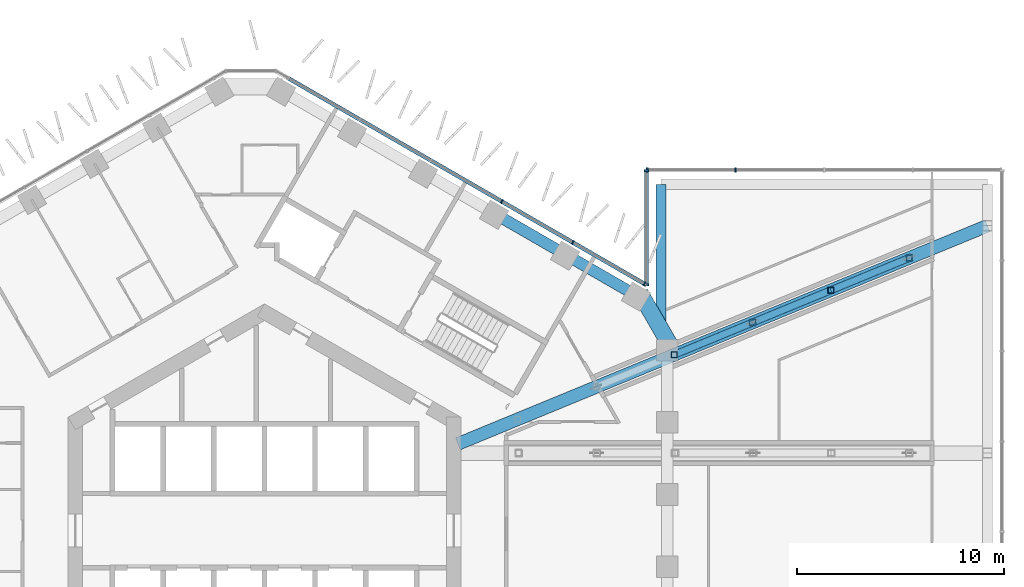
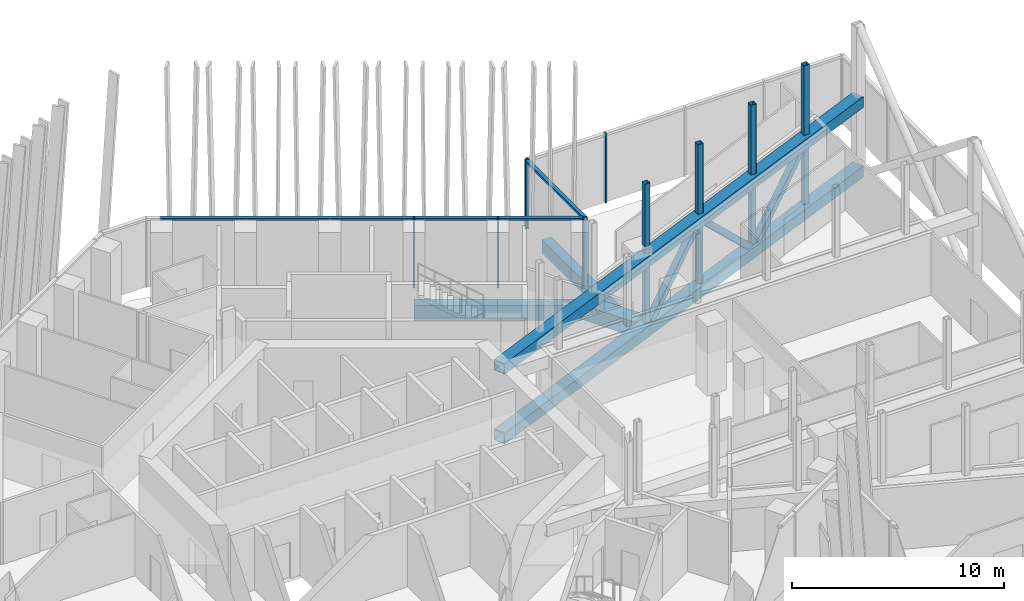
# One storey, part 9 of 28: 22 members, 4 beams, 3 elements without a shape of their own.
"""IFC4 building model written with IfcOpenShell, lengths in metres."""

import ifcopenshell
import ifcopenshell.guid

model = None  # the IFC model being written
_history = None  # IfcOwnerHistory: only IFC2X3 demands one
_inside = {}  # id of a spatial element -> (the spatial element, [elements in it])
_under = {}  # id of a project, library or spatial element -> (it, [spatial elements below it])
_declared = {}  # id of a project -> (the project, [libraries it declares])
_typed = {}  # id of a type object -> (the type object, [elements of that type])
_made_of = {}  # id of a material, layer set ... -> (it, [elements and type objects made of it])


def new_model(schema):
    """Start an empty IFC model of exactly this schema.

    Asked for "IFC4X3", IfcOpenShell would pick the latest addendum, in which some entities
    have other attributes; the version numbers below select the first issue.
    IFC2X3 requires an IfcOwnerHistory on every rooted entity: one is made here for all.
    """
    global model, _history
    if schema == "IFC4X3":
        model = ifcopenshell.file(schema_version=(4, 3, 0, 0))
    else:
        model = ifcopenshell.file(schema=schema)
    _inside.clear()
    _under.clear()
    _declared.clear()
    _typed.clear()
    _made_of.clear()
    _history = None
    if model.schema == "IFC2X3":
        org = make("IfcOrganization", Name="unknown")
        user = make(
            "IfcPersonAndOrganization",
            ThePerson=make("IfcPerson", FamilyName="unknown"),
            TheOrganization=org,
        )
        app = make(
            "IfcApplication",
            ApplicationDeveloper=org,
            Version="unknown",
            ApplicationFullName="unknown",
            ApplicationIdentifier="unknown",
        )
        _history = make(
            "IfcOwnerHistory",
            OwningUser=user,
            OwningApplication=app,
            ChangeAction="ADDED",
            CreationDate=0,
        )
    return model


def make(cls, **values):
    """One entity of the class cls with the attributes given. An attribute that is None is left unset."""
    return model.create_entity(
        cls, **{name: value for name, value in values.items() if value is not None}
    )


def rooted(cls, **values):
    """An entity with a GlobalId (a new one), such as an element, a storey or a relation."""
    return make(cls, GlobalId=ifcopenshell.guid.new(), OwnerHistory=_history, **values)


def si_unit(unit_type, name, prefix=None):
    """IfcSIUnit, for example si_unit("LENGTHUNIT", "METRE", prefix="MILLI")."""
    return make("IfcSIUnit", UnitType=unit_type, Prefix=prefix, Name=name)


def assignment(units):
    """IfcUnitAssignment: the units of a project."""
    return None if units is None else make("IfcUnitAssignment", Units=units)


def point(xyz):
    """IfcCartesianPoint."""
    return None if xyz is None else make("IfcCartesianPoint", Coordinates=xyz)


def direction(xyz):
    """IfcDirection."""
    return None if xyz is None else make("IfcDirection", DirectionRatios=xyz)


def frame(location, z_axis=None, x_axis=None):
    """IfcAxis2Placement3D, a coordinate frame: its origin and axes. An axis left out is left unset."""
    return make(
        "IfcAxis2Placement3D",
        Location=point(location),
        Axis=direction(z_axis),
        RefDirection=direction(x_axis),
    )


def frame_2d(location, x_axis=None):
    """IfcAxis2Placement2D, a coordinate frame in the plane: its origin and x axis."""
    return make(
        "IfcAxis2Placement2D", Location=point(location), RefDirection=direction(x_axis)
    )


def origin():
    """The frame at (0, 0, 0) with its axes left unset."""
    return frame((0.0, 0.0, 0.0))


def origin_2d():
    """The frame at (0, 0) in the plane with its x axis left unset."""
    return frame_2d((0.0, 0.0))


def place(relative_to, where):
    """IfcLocalPlacement: puts the frame where relative to a parent placement (None: the world)."""
    return make(
        "IfcLocalPlacement", PlacementRelTo=relative_to, RelativePlacement=where
    )


def context(
    kind, dimensions, precision=None, world=None, true_north=None, identifier=None
):
    """IfcGeometricRepresentationContext, for example the 3D "Model" context."""
    return make(
        "IfcGeometricRepresentationContext",
        ContextIdentifier=identifier,
        ContextType=kind,
        CoordinateSpaceDimension=dimensions,
        Precision=precision,
        WorldCoordinateSystem=world,
        TrueNorth=true_north,
    )


def subcontext(parent, identifier, kind, view, scale=None):
    """IfcGeometricRepresentationSubContext, for example "Body" below "Model"."""
    return make(
        "IfcGeometricRepresentationSubContext",
        ContextIdentifier=identifier,
        ContextType=kind,
        ParentContext=parent,
        TargetScale=scale,
        TargetView=view,
    )


def project(units=None, contexts=None):
    """IfcProject with its units and contexts."""
    return rooted(
        "IfcProject",
        Name="project",
        RepresentationContexts=contexts,
        UnitsInContext=assignment(units),
    )


def spatial(cls, under=None, at=None, **own):
    """A site, building, storey or space (cls), placed at a placement, below another one or the project."""
    s = rooted(cls, ObjectPlacement=at, **own)
    if under is not None:
        _under.setdefault(under.id(), (under, []))[1].append(s)
    return s


def profile(cls, at=None, kind="AREA", **sizes):
    """A parametric profile (cls). Its sizes go by their IFC names, for example OverallWidth=200.0."""
    return make(cls, ProfileType=kind, Position=at, **sizes)


def rectangle(**sizes):
    """IfcRectangleProfileDef."""
    return profile("IfcRectangleProfileDef", **sizes)


def hollow_rectangle(**sizes):
    """IfcRectangleHollowProfileDef."""
    return profile("IfcRectangleHollowProfileDef", **sizes)


def extrude(swept, where, along, depth):
    """IfcExtrudedAreaSolid: the profile swept, set in the frame where, extruded along a direction by depth."""
    return make(
        "IfcExtrudedAreaSolid",
        SweptArea=swept,
        Position=where,
        ExtrudedDirection=direction(along),
        Depth=depth,
    )


def shape(context_of_items, identifier, shape_type, items):
    """IfcShapeRepresentation: the items that make up one representation, for example the "Body"."""
    return make(
        "IfcShapeRepresentation",
        ContextOfItems=context_of_items,
        RepresentationIdentifier=identifier,
        RepresentationType=shape_type,
        Items=items,
    )


def material(Name=None, Category=None):
    """IfcMaterial."""
    return make("IfcMaterial", Name=Name, Category=Category)


def layer(
    of_material, thickness, ventilated=None, Name=None, Category=None, Priority=None
):
    """IfcMaterialLayer: one layer of a wall or slab, of a material (None: an air gap)."""
    return make(
        "IfcMaterialLayer",
        Material=of_material,
        LayerThickness=thickness,
        IsVentilated=ventilated,
        Name=Name,
        Category=Category,
        Priority=Priority,
    )


def layer_set(layers, Name=None):
    """IfcMaterialLayerSet."""
    return make("IfcMaterialLayerSet", MaterialLayers=layers, LayerSetName=Name)


def material_profile(
    of_material, cross_section, Name=None, Category=None, Priority=None
):
    """IfcMaterialProfile: a cross section and its material."""
    return make(
        "IfcMaterialProfile",
        Name=Name,
        Material=of_material,
        Profile=cross_section,
        Priority=Priority,
        Category=Category,
    )


def profile_set(profiles, Name=None, composite=None):
    """IfcMaterialProfileSet."""
    return make(
        "IfcMaterialProfileSet",
        Name=Name,
        MaterialProfiles=profiles,
        CompositeProfile=composite,
    )


def made_of(thing, what):
    """Note that an element or type object is made of a material, layer set ...; save() writes the relation."""
    if what is not None:
        _made_of.setdefault(what.id(), (what, []))[1].append(thing)
    return thing


def type_object(cls, material=None, **own):
    """A type object (cls), such as IfcWallType, which elements share."""
    return made_of(rooted(cls, **own), material)


def element(
    cls,
    number,
    at=None,
    inside=None,
    cuts=None,
    type_object=None,
    material=None,
    context=None,
    identifier="Body",
    shape_type=None,
    held_by="IfcProductDefinitionShape",
    body=None,
    shapes=None,
    **own,
):
    """One element of the class cls, such as IfcWall. Its Tag is "e" and its number.

    at: its placement. inside: the storey or other place that contains it. cuts: it is an
    opening in that element (IfcRelVoidsElement). A single representation is given by context,
    identifier, shape_type and body (its items); several are given by shapes. held_by: the class
    of the entity that holds the representations. save() writes the other relations.
    """
    e = rooted(cls, Tag="e%d" % number, ObjectPlacement=at, **own)
    if body is not None:
        shapes = [shape(context, identifier, shape_type, body)]
    if shapes is not None:
        e.Representation = make(held_by, Representations=shapes)
    if inside is not None:
        _inside.setdefault(inside.id(), (inside, []))[1].append(e)
    if cuts is not None:
        rooted(
            "IfcRelVoidsElement", RelatingBuildingElement=cuts, RelatedOpeningElement=e
        )
    if type_object is not None:
        _typed.setdefault(type_object.id(), (type_object, []))[1].append(e)
    return made_of(e, material)


def aggregate(whole, parts):
    """IfcRelAggregates: a whole, such as a stair, and the parts it consists of."""
    return rooted("IfcRelAggregates", RelatingObject=whole, RelatedObjects=parts)


def save(model, path):
    """Write the relations noted so far, then the file.

    IfcRelAggregates (storeys below a building ...), IfcRelContainedInSpatialStructure (elements
    in a storey), IfcRelDefinesByType, IfcRelAssociatesMaterial and IfcRelDeclares: one each for
    every whole, place, type object, material and project.
    """
    for whole, parts in _under.values():
        aggregate(whole, parts)
    for where, things in _inside.values():
        rooted(
            "IfcRelContainedInSpatialStructure",
            RelatedElements=things,
            RelatingStructure=where,
        )
    for kind, things in _typed.values():
        rooted("IfcRelDefinesByType", RelatedObjects=things, RelatingType=kind)
    for what, things in _made_of.values():
        rooted("IfcRelAssociatesMaterial", RelatedObjects=things, RelatingMaterial=what)
    for by, libraries in _declared.values():
        rooted("IfcRelDeclares", RelatingContext=by, RelatedDefinitions=libraries)
    model.write(path)


model = new_model("IFC4")

# Units and contexts
model_context = context("Model", 3, precision=1e-05, world=origin(), true_north=direction((0.0, 1.0)))
body_context = subcontext(model_context, "Body", "Model", "MODEL_VIEW")
ifc_project = project(units=[si_unit("LENGTHUNIT", "METRE"), si_unit("AREAUNIT", "SQUARE_METRE"), si_unit("VOLUMEUNIT", "CUBIC_METRE"), si_unit("PLANEANGLEUNIT", "RADIAN"), si_unit("MASSUNIT", "GRAM", prefix="KILO")], contexts=[model_context])

# Site, building, storey
site_placement = place(None, origin())
site = spatial("IfcSite", under=ifc_project, at=site_placement, CompositionType="ELEMENT")
building_placement = place(site_placement, origin())
building = spatial("IfcBuilding", under=site, at=building_placement, Name="Ayvan Gate Tower", CompositionType="ELEMENT")
storey_placement = place(building_placement, frame((0.0, 0.0, 120.5)))
storey = spatial("IfcBuildingStorey", under=building, at=storey_placement, Name="L32", CompositionType="ELEMENT", Elevation=120.5)

# Beams
ifc_material_1 = material(Name="Concrete C40/50", Category="concrete")
ifc_material_profile_1 = material_profile(ifc_material_1, rectangle(XDim=0.800048828125, YDim=0.85009765625, at=origin_2d()), Name="RC 800x850")
ifc_profile_set_1 = profile_set([ifc_material_profile_1], Name="Concrete C40/50")
beam_type_1 = type_object("IfcBeamType", Name="Corner spandrel beam RC 800x850 C40/50", PredefinedType="BEAM", material=ifc_profile_set_1)
beam_1_placement = place(storey_placement, frame((19.676025390625, 8.890869140625, -0.824951171875), z_axis=(-0.50002537861, 0.866010750942, 0.0), x_axis=(-0.866010750942, -0.50002537861, 0.0)))
element("IfcBeam", 1, at=beam_1_placement, inside=storey, type_object=beam_type_1, Name="SB-L32-6", PredefinedType="BEAM", context=body_context, shape_type="SweptSolid", body=[
    extrude(rectangle(XDim=0.800048828125, YDim=0.85009765625, at=origin_2d()), origin(), (0.0, 0.0, 1.0), 2.999755859375),
])
ifc_material_profile_2 = material_profile(ifc_material_1, rectangle(XDim=0.5, YDim=0.75, at=origin_2d()), Name="RC 500x750")
ifc_profile_set_2 = profile_set([ifc_material_profile_2], Name="Concrete C40/50")
beam_type_2 = type_object("IfcBeamType", Name="Sky bar edge beam RC 500x750 C40/50", PredefinedType="BEAM", material=ifc_profile_set_2)
beam_2_placement = place(storey_placement, frame((19.185546875, 9.9609375, -0.77490234375), z_axis=(0.0, 1.0, 0.0), x_axis=(-1.0, 0.0, 0.0)))
element("IfcBeam", 2, at=beam_2_placement, inside=storey, type_object=beam_type_2, Name="EB-B2-L32-1", PredefinedType="BEAM", context=body_context, shape_type="SweptSolid", body=[
    extrude(rectangle(XDim=0.5, YDim=0.75, at=origin_2d()), origin(), (0.0, 0.0, 1.0), 6.7890625),
])

# Members
ifc_material_2 = material(Name="Steel S460NH", Category="steel")
ifc_material_profile_3 = material_profile(ifc_material_2, hollow_rectangle(XDim=0.35009765625, YDim=0.35009765625, WallThickness=0.012451171875, InnerFilletRadius=0.012451171875, OuterFilletRadius=0.018798828125, at=origin_2d()), Name="RHS 350x350x12.5")
ifc_profile_set_3 = profile_set([ifc_material_profile_3], Name="Steel S460NH")
member_type_1 = type_object("IfcMemberType", Name="Sky bar end truss brace B2 RHS 350x350x12.5", PredefinedType="BRACE", material=ifc_profile_set_3)
member_1_placement = place(storey_placement, frame((19.831787109375, 8.506591796875, -0.75), z_axis=(0.661597067842, 0.272577821403, 0.698563276376), x_axis=(-0.380935608292, 0.924601569507, 0.0)))
element("IfcMember", 3, at=member_1_placement, inside=storey, type_object=member_type_1, Name="SBT2-4-D-4", PredefinedType="BRACE", context=body_context, shape_type="SweptSolid", body=[
    extrude(hollow_rectangle(XDim=0.35009765625, YDim=0.35009765625, WallThickness=0.012451171875, InnerFilletRadius=0.012451171875, OuterFilletRadius=0.018798828125, at=origin_2d()), origin(), (0.0, 0.0, 1.0), 5.72607421875),
])
member_2_placement = place(storey_placement, frame((23.6201171875, 10.0673828125, 3.25), z_axis=(0.661613351799, 0.27260959991, -0.698535452757), x_axis=(-0.3809655583, 0.924589229544, 0.0)))
element("IfcMember", 4, at=member_2_placement, inside=storey, type_object=member_type_1, Name="SBT2-4-D-5", PredefinedType="BRACE", context=body_context, shape_type="SweptSolid", body=[
    extrude(hollow_rectangle(XDim=0.35009765625, YDim=0.35009765625, WallThickness=0.012451171875, InnerFilletRadius=0.012451171875, OuterFilletRadius=0.018798828125, at=origin_2d()), origin(), (0.0, 0.0, 1.0), 5.726318359375),
])
member_3_placement = place(storey_placement, frame((27.40869140625, 11.62841796875, -0.75), z_axis=(0.661597067842, 0.272577821403, 0.698563276376), x_axis=(-0.380935608292, 0.924601569507, 0.0)))
element("IfcMember", 5, at=member_3_placement, inside=storey, type_object=member_type_1, Name="SBT2-4-D-6", PredefinedType="BRACE", context=body_context, shape_type="SweptSolid", body=[
    extrude(hollow_rectangle(XDim=0.35009765625, YDim=0.35009765625, WallThickness=0.012451171875, InnerFilletRadius=0.012451171875, OuterFilletRadius=0.018798828125, at=origin_2d()), origin(), (0.0, 0.0, 1.0), 5.72607421875),
])
ifc_material_3 = material(Name="Steel S460ML", Category="steel")
ifc_material_profile_4 = material_profile(ifc_material_3, hollow_rectangle(XDim=0.6201171875, YDim=0.6201171875, WallThickness=0.034912109375, at=origin_2d()), Name="BOX 620x620x35")
ifc_profile_set_4 = profile_set([ifc_material_profile_4], Name="Steel S460ML")
member_type_2 = type_object("IfcMemberType", Name="Sky bar end truss chord B2 BOX 620x620x35", PredefinedType="CHORD", material=ifc_profile_set_4)
for number, where, z_axis, x_axis, name in (
    (6, (9.361328125, 4.19287109375, -0.75), (0.924602366744, 0.380933673245, 0.0), (-0.380933673245, 0.924602366744, 0.0), "SBT2-4-BC-1"),
    (7, (9.361328125, 4.19287109375, 3.25), (0.924602366744, 0.380933673245, 0.0), (-0.380933673245, 0.924602366744, 0.0), "SBT2-4-TC-1"),
):
    element("IfcMember", number, at=place(storey_placement, frame(where, z_axis=z_axis, x_axis=x_axis)), inside=storey, type_object=member_type_2, Name=name, PredefinedType="CHORD", context=body_context, shape_type="SweptSolid", body=[
        extrude(hollow_rectangle(XDim=0.6201171875, YDim=0.6201171875, WallThickness=0.034912109375, at=origin_2d()), origin(), (0.0, 0.0, 1.0), 27.7138671875),
    ])
ifc_material_profile_5 = material_profile(ifc_material_2, hollow_rectangle(XDim=0.280029296875, YDim=0.280029296875, WallThickness=0.012451171875, InnerFilletRadius=0.012451171875, OuterFilletRadius=0.018798828125, at=origin_2d()), Name="RHS 280x280x12.5")
ifc_profile_set_5 = profile_set([ifc_material_profile_5], Name="Steel S460NH")
member_type_3 = type_object("IfcMemberType", Name="Sky bar end truss post B2 RHS 280x280x12.5", PredefinedType="POST", material=ifc_profile_set_5)
for number, where, z_axis, x_axis, name in (
    (8, (19.831787109375, 8.506591796875, -0.39990234375), (0.0, 0.0, 1.0), (1.0, 0.0, 0.0), "SBT2-4-P-3"),
    (9, (23.6201171875, 10.0673828125, -0.39990234375), (0.0, 0.0, 1.0), (1.0, 0.0, 0.0), "SBT2-4-P-4"),
    (10, (27.40869140625, 11.62841796875, -0.39990234375), (0.0, 0.0, 1.0), (1.0, 0.0, 0.0), "SBT2-4-P-5"),
    (11, (31.197021484375, 13.189208984375, -0.39990234375), (0.0, 0.0, 1.0), (1.0, 0.0, 0.0), "SBT2-4-P-6"),
):
    element("IfcMember", number, at=place(storey_placement, frame(where, z_axis=z_axis, x_axis=x_axis)), inside=storey, type_object=member_type_3, Name=name, PredefinedType="POST", context=body_context, shape_type="SweptSolid", body=[
        extrude(hollow_rectangle(XDim=0.280029296875, YDim=0.280029296875, WallThickness=0.012451171875, InnerFilletRadius=0.012451171875, OuterFilletRadius=0.018798828125, at=origin_2d()), origin(), (0.0, 0.0, 1.0), 3.2998046875),
    ])
ifc_material_profile_6 = material_profile(ifc_material_2, hollow_rectangle(XDim=0.300048828125, YDim=0.300048828125, WallThickness=0.012451171875, InnerFilletRadius=0.012451171875, OuterFilletRadius=0.018798828125, at=origin_2d()), Name="RHS 300x300x12.5")
ifc_profile_set_6 = profile_set([ifc_material_profile_6], Name="Steel S460NH")
member_type_4 = type_object("IfcMemberType", Name="Sky bar upper post B2 RHS 300x300x12.5", PredefinedType="POST", material=ifc_profile_set_6)
for number, where, z_axis, x_axis, name in (
    (12, (19.831787109375, 8.506591796875, 3.60009765625), (0.0, 0.0, 1.0), (1.0, 0.0, 0.0), "SBT2-4-U-3"),
    (13, (23.6201171875, 10.0673828125, 3.60009765625), (0.0, 0.0, 1.0), (1.0, 0.0, 0.0), "SBT2-4-U-4"),
    (14, (27.40869140625, 11.62841796875, 3.60009765625), (0.0, 0.0, 1.0), (1.0, 0.0, 0.0), "SBT2-4-U-5"),
    (15, (31.197021484375, 13.189208984375, 3.60009765625), (0.0, 0.0, 1.0), (1.0, 0.0, 0.0), "SBT2-4-U-6"),
):
    element("IfcMember", number, at=place(storey_placement, frame(where, z_axis=z_axis, x_axis=x_axis)), inside=storey, type_object=member_type_4, Name=name, PredefinedType="POST", context=body_context, shape_type="SweptSolid", body=[
        extrude(hollow_rectangle(XDim=0.300048828125, YDim=0.300048828125, WallThickness=0.012451171875, InnerFilletRadius=0.012451171875, OuterFilletRadius=0.018798828125, at=origin_2d()), origin(), (0.0, 0.0, 1.0), 4.0),
    ])

# Beams
ifc_material_profile_7 = material_profile(ifc_material_1, rectangle(XDim=0.550048828125, YDim=0.85009765625, at=origin_2d()), Name="RC 550x850")
ifc_profile_set_7 = profile_set([ifc_material_profile_7], Name="Concrete C40/50")
beam_type_3 = type_object("IfcBeamType", Name="Spandrel beam RC 550x850 C40/50", PredefinedType="BEAM", material=ifc_profile_set_7)
for number, where, z_axis, x_axis, name in (
    (16, (17.985595703125, 11.37890625, -0.824951171875), (-0.866027263711, 0.4999967785, 0.0), (-0.4999967785, -0.866027263711, 0.0), "SB-L32-7"),
    (17, (14.560791015625, 13.356201171875, -0.824951171875), (-0.866027263711, 0.4999967785, 0.0), (-0.4999967785, -0.866027263711, 0.0), "SB-L32-8"),
):
    element("IfcBeam", number, at=place(storey_placement, frame(where, z_axis=z_axis, x_axis=x_axis)), inside=storey, type_object=beam_type_3, Name=name, PredefinedType="BEAM", context=body_context, shape_type="SweptSolid", body=[
        extrude(rectangle(XDim=0.550048828125, YDim=0.85009765625, at=origin_2d()), origin(), (0.0, 0.0, 1.0), 3.95458984375),
    ])

# Curtain wall, members
ifc_material_4 = material(Name="Bronze anodised aluminium", Category="aluminium")
ifc_layer_1 = layer(ifc_material_4, 0.199951171875)
ifc_layer_set_1 = layer_set([ifc_layer_1], Name="Bronze anodised aluminium")
curtain_wall_type_1 = type_object("IfcCurtainWallType", Name="Stick curtain wall CW-1", PredefinedType="NOTDEFINED", material=ifc_layer_set_1)
curtain_wall_1_placement = place(storey_placement, origin())
curtain_wall_1 = element("IfcCurtainWall", 18, at=curtain_wall_1_placement, inside=storey, type_object=curtain_wall_type_1, Name="Stick curtain wall CW-1 L32", PredefinedType="NOTDEFINED")
ifc_material_profile_8 = material_profile(ifc_material_4, rectangle(XDim=0.199951171875, YDim=0.06005859375, at=origin_2d()), Name="Stick curtain wall CW-1 mullion 200 x 60")
ifc_profile_set_8 = profile_set([ifc_material_profile_8], Name="Bronze anodised aluminium")
member_type_5 = type_object("IfcMemberType", Name="Stick curtain wall CW-1 mullion 200 x 60", PredefinedType="MULLION", material=ifc_profile_set_8)
member_4_placement = place(storey_placement, frame((18.389404296875, 11.937255859375, 0.0), z_axis=(0.0, 0.0, 1.0), x_axis=(0.5, 0.866025403784, 0.0)))
member_4 = element("IfcMember", 19, at=member_4_placement, type_object=member_type_5, Name="CW-1 mullion 1", PredefinedType="MULLION", context=body_context, shape_type="SweptSolid", body=[
    extrude(rectangle(XDim=0.199951171875, YDim=0.06005859375, at=origin_2d()), origin(), (0.0, 0.0, 1.0), 4.0),
])
member_5_placement = place(storey_placement, frame((14.91845703125, 13.94140625, 0.0), z_axis=(0.0, 0.0, 1.0), x_axis=(0.5, 0.866025403784, 0.0)))
member_5 = element("IfcMember", 20, at=member_5_placement, type_object=member_type_5, Name="CW-1 mullion 2", PredefinedType="MULLION", context=body_context, shape_type="SweptSolid", body=[
    extrude(rectangle(XDim=0.199951171875, YDim=0.06005859375, at=origin_2d()), origin(), (0.0, 0.0, 1.0), 4.0),
])
member_6_placement = place(storey_placement, frame((11.483642578125, 15.92431640625, 0.0), z_axis=(0.0, 0.0, 1.0), x_axis=(0.5, 0.866025403784, 0.0)))
member_6 = element("IfcMember", 21, at=member_6_placement, type_object=member_type_5, Name="CW-1 mullion 3", PredefinedType="MULLION", context=body_context, shape_type="SweptSolid", body=[
    extrude(rectangle(XDim=0.199951171875, YDim=0.06005859375, at=origin_2d()), origin(), (0.0, 0.0, 1.0), 4.0),
])
ifc_material_profile_9 = material_profile(ifc_material_4, rectangle(XDim=0.199951171875, YDim=0.1201171875, at=origin_2d()), Name="Stick curtain wall CW-1 transom 200 x 120")
ifc_profile_set_9 = profile_set([ifc_material_profile_9], Name="Bronze anodised aluminium")
member_type_6 = type_object("IfcMemberType", Name="Stick curtain wall CW-1 transom 200 x 120", PredefinedType="USERDEFINED", material=ifc_profile_set_9)
member_7_placement = place(storey_placement, frame((18.389404296875, 11.937255859375, 3.93994140625), z_axis=(-0.866025525965, 0.499999788377, 0.0), x_axis=(-0.499999788377, -0.866025525965, 0.0)))
member_7 = element("IfcMember", 22, at=member_7_placement, type_object=member_type_6, Name="CW-1 transom 1", ObjectType="TRANSOM", PredefinedType="USERDEFINED", context=body_context, shape_type="SweptSolid", body=[
    extrude(rectangle(XDim=0.199951171875, YDim=0.1201171875, at=origin_2d()), origin(), (0.0, 0.0, 1.0), 19.9140625),
])
aggregate(curtain_wall_1, [member_4, member_5, member_6, member_7])

ifc_layer_2 = layer(ifc_material_4, 0.199951171875)
ifc_layer_set_2 = layer_set([ifc_layer_2], Name="Bronze anodised aluminium")
curtain_wall_type_2 = type_object("IfcCurtainWallType", Name="Stick curtain wall CW-4", PredefinedType="NOTDEFINED", material=ifc_layer_set_2)
curtain_wall_2_placement = place(storey_placement, origin())
curtain_wall_2 = element("IfcCurtainWall", 23, at=curtain_wall_2_placement, inside=storey, type_object=curtain_wall_type_2, Name="Stick curtain wall CW-4 L32", PredefinedType="NOTDEFINED")
ifc_material_profile_10 = material_profile(ifc_material_4, rectangle(XDim=0.199951171875, YDim=0.080078125, at=origin_2d()), Name="Stick curtain wall CW-4 mullion 200 x 80")
ifc_profile_set_10 = profile_set([ifc_material_profile_10], Name="Bronze anodised aluminium")
member_type_7 = type_object("IfcMemberType", Name="Stick curtain wall CW-4 mullion 200 x 80", PredefinedType="MULLION", material=ifc_profile_set_10)
member_8_placement = place(storey_placement, frame((22.78564453125, 17.449951171875, 0.0), z_axis=(0.0, 0.0, 1.0), x_axis=(0.0, 1.0, 0.0)))
member_8 = element("IfcMember", 24, at=member_8_placement, type_object=member_type_7, Name="CW-4 mullion 4", PredefinedType="MULLION", context=body_context, shape_type="SweptSolid", body=[
    extrude(rectangle(XDim=0.199951171875, YDim=0.080078125, at=origin_2d()), origin(), (0.0, 0.0, 1.0), 4.0),
])
member_9_placement = place(storey_placement, frame((18.525634765625, 17.449951171875, 0.0), z_axis=(0.0, 0.0, 1.0), x_axis=(0.0, 1.0, 0.0)))
member_9 = element("IfcMember", 25, at=member_9_placement, type_object=member_type_7, Name="CW-4 mullion 5", PredefinedType="MULLION", context=body_context, shape_type="SweptSolid", body=[
    extrude(rectangle(XDim=0.199951171875, YDim=0.080078125, at=origin_2d()), origin(), (0.0, 0.0, 1.0), 4.0),
])
aggregate(curtain_wall_2, [member_8, member_9])

curtain_wall_3_placement = place(storey_placement, origin())
curtain_wall_3 = element("IfcCurtainWall", 26, at=curtain_wall_3_placement, inside=storey, type_object=curtain_wall_type_2, Name="Stick curtain wall CW-4 L32", PredefinedType="NOTDEFINED")
member_10_placement = place(storey_placement, frame((18.485595703125, 17.409912109375, 0.0), z_axis=(0.0, 0.0, 1.0), x_axis=(-1.0, 0.0, 0.0)))
member_10 = element("IfcMember", 27, at=member_10_placement, type_object=member_type_7, Name="CW-4 mullion 1", PredefinedType="MULLION", context=body_context, shape_type="SweptSolid", body=[
    extrude(rectangle(XDim=0.199951171875, YDim=0.080078125, at=origin_2d()), origin(), (0.0, 0.0, 1.0), 4.0),
])
member_11_placement = place(storey_placement, frame((18.485595703125, 11.89208984375, 0.0), z_axis=(0.0, 0.0, 1.0), x_axis=(-1.0, 0.0, 0.0)))
member_11 = element("IfcMember", 28, at=member_11_placement, type_object=member_type_7, Name="CW-4 mullion 2", PredefinedType="MULLION", context=body_context, shape_type="SweptSolid", body=[
    extrude(rectangle(XDim=0.199951171875, YDim=0.080078125, at=origin_2d()), origin(), (0.0, 0.0, 1.0), 4.0),
])
ifc_material_profile_11 = material_profile(ifc_material_4, rectangle(XDim=0.199951171875, YDim=0.139892578125, at=origin_2d()), Name="Stick curtain wall CW-4 transom 200 x 140")
ifc_profile_set_11 = profile_set([ifc_material_profile_11], Name="Bronze anodised aluminium")
member_type_8 = type_object("IfcMemberType", Name="Stick curtain wall CW-4 transom 200 x 140", PredefinedType="USERDEFINED", material=ifc_profile_set_11)
member_12_placement = place(storey_placement, frame((18.485595703125, 17.409912109375, 3.929931640625), z_axis=(0.0, -1.0, 0.0), x_axis=(1.0, 0.0, 0.0)))
member_12 = element("IfcMember", 29, at=member_12_placement, type_object=member_type_8, Name="CW-4 transom 1", ObjectType="TRANSOM", PredefinedType="USERDEFINED", context=body_context, shape_type="SweptSolid", body=[
    extrude(rectangle(XDim=0.199951171875, YDim=0.139892578125, at=origin_2d()), origin(), (0.0, 0.0, 1.0), 5.517822265625),
])
aggregate(curtain_wall_3, [member_10, member_11, member_12])

save(model, "model.ifc")
